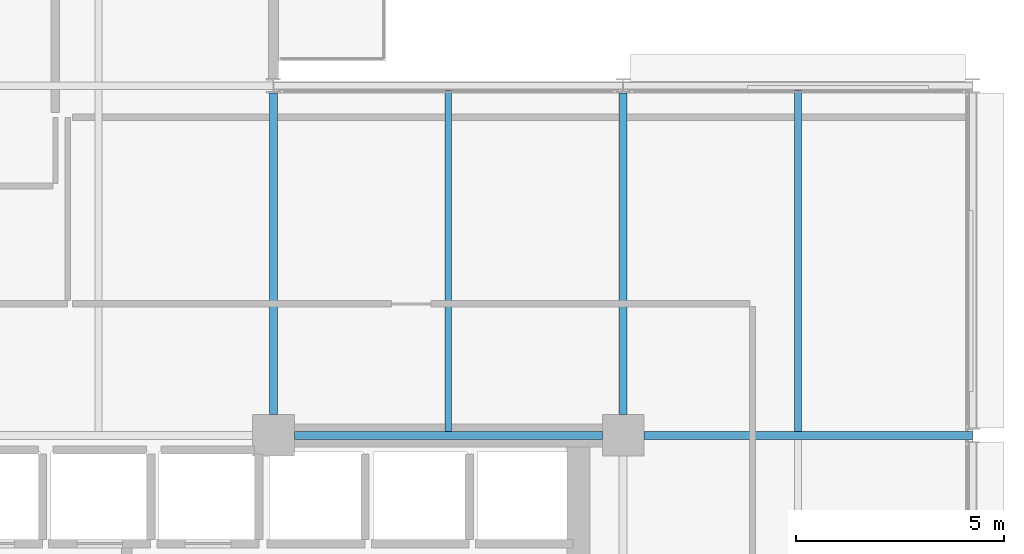
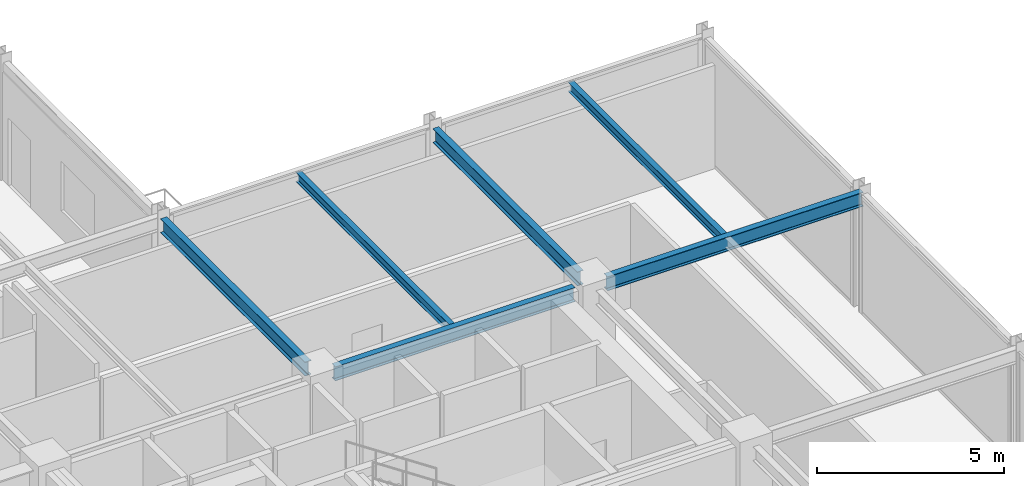
# One storey, part 15 of 30: 6 beams.
"""IFC4 building model written with IfcOpenShell, lengths in metres."""

from ifc_helpers import new_model, si_unit, direction, frame, origin, origin_2d, place, context, subcontext, project, spatial, i_section, extrude, material, material_profile, profile_set, type_object, element, save


model = new_model("IFC4")

# Units and contexts
model_context = context("Model", 3, precision=1e-05, world=origin(), true_north=direction((0.0, 1.0)))
body_context = subcontext(model_context, "Body", "Model", "MODEL_VIEW")
ifc_project = project(units=[si_unit("LENGTHUNIT", "METRE"), si_unit("AREAUNIT", "SQUARE_METRE"), si_unit("VOLUMEUNIT", "CUBIC_METRE"), si_unit("PLANEANGLEUNIT", "RADIAN"), si_unit("MASSUNIT", "GRAM", prefix="KILO")], contexts=[model_context])

# Site, building, storey
site_placement = place(None, origin())
site = spatial("IfcSite", under=ifc_project, at=site_placement, CompositionType="ELEMENT")
building_placement = place(site_placement, origin())
building = spatial("IfcBuilding", under=site, at=building_placement, Name="Nerrivon Quay Data Exchange", CompositionType="ELEMENT")
storey_placement = place(building_placement, frame((0.0, 0.0, 167.300048828125)))
storey = spatial("IfcBuildingStorey", under=building, at=storey_placement, Name="L39", CompositionType="ELEMENT", Elevation=167.300048828125)

# Beams
ifc_material = material(Name="Steel Grade 350", Category="steel")
ifc_material_profile_1 = material_profile(ifc_material, i_section(OverallWidth=0.19091796875, OverallDepth=0.4599609375, WebThickness=0.010009765625, FlangeThickness=0.01611328125, FilletRadius=0.011474609375, at=origin_2d()), Name="460UB82.1")
ifc_profile_set_1 = profile_set([ifc_material_profile_1], Name="Steel Grade 350")
beam_type_1 = type_object("IfcBeamType", Name="BM-G5-460UB82", PredefinedType="BEAM", material=ifc_profile_set_1)
beam_1_placement = place(storey_placement, frame((25.699951171875, 16.800048828125, 3.594970703125), z_axis=(1.0, 0.0, 0.0), x_axis=(0.0, 1.0, 0.0)))
element("IfcBeam", 1, at=beam_1_placement, inside=storey, type_object=beam_type_1, Name="L39 EW Girder Y=16.8 (25.2..33.6)", PredefinedType="BEAM", context=body_context, shape_type="SweptSolid", body=[
    extrude(i_section(OverallWidth=0.19091796875, OverallDepth=0.4599609375, WebThickness=0.010009765625, FlangeThickness=0.01611328125, FilletRadius=0.011474609375, at=origin_2d()), origin(), (0.0, 0.0, 1.0), 7.400146484375),
])
beam_2_placement = place(storey_placement, frame((34.10009765625, 16.800048828125, 3.594970703125), z_axis=(1.0, 0.0, 0.0), x_axis=(0.0, 1.0, 0.0)))
element("IfcBeam", 2, at=beam_2_placement, inside=storey, type_object=beam_type_1, Name="L39 EW Girder Y=16.8 (33.6..42.0)", PredefinedType="BEAM", context=body_context, shape_type="SweptSolid", body=[
    extrude(i_section(OverallWidth=0.19091796875, OverallDepth=0.4599609375, WebThickness=0.010009765625, FlangeThickness=0.01611328125, FilletRadius=0.011474609375, at=origin_2d()), origin(), (0.0, 0.0, 1.0), 7.889892578125),
])
ifc_material_profile_2 = material_profile(ifc_material, i_section(OverallWidth=0.18994140625, OverallDepth=0.4541015625, WebThickness=0.008544921875, FlangeThickness=0.0126953125, FilletRadius=0.011474609375, at=origin_2d()), Name="460UB67.1")
ifc_profile_set_2 = profile_set([ifc_material_profile_2], Name="Steel Grade 350")
beam_type_2 = type_object("IfcBeamType", Name="BM-G6-460UB67", PredefinedType="BEAM", material=ifc_profile_set_2)
for number, where, z_axis, x_axis, name in (
    (3, (25.199951171875, 17.300048828125, 3.597900390625), (0.0, 1.0, 0.0), (-1.0, 0.0, 0.0), "L39 NS Girder X=25.2 (16.8..25.2)"),
    (4, (33.60009765625, 17.300048828125, 3.597900390625), (0.0, 1.0, 0.0), (-1.0, 0.0, 0.0), "L39 NS Girder X=33.6 (16.8..25.2)"),
):
    element("IfcBeam", number, at=place(storey_placement, frame(where, z_axis=z_axis, x_axis=x_axis)), inside=storey, type_object=beam_type_2, Name=name, PredefinedType="BEAM", context=body_context, shape_type="SweptSolid", body=[
        extrude(i_section(OverallWidth=0.18994140625, OverallDepth=0.4541015625, WebThickness=0.008544921875, FlangeThickness=0.0126953125, FilletRadius=0.011474609375, at=origin_2d()), origin(), (0.0, 0.0, 1.0), 7.724853515625),
    ])
ifc_material_profile_3 = material_profile(ifc_material, i_section(OverallWidth=0.166015625, OverallDepth=0.306884765625, WebThickness=0.006591796875, FlangeThickness=0.01171875, FilletRadius=0.011474609375, at=origin_2d()), Name="310UB46.2")
ifc_profile_set_3 = profile_set([ifc_material_profile_3], Name="Steel Grade 350")
beam_type_3 = type_object("IfcBeamType", Name="BM-J5-310UB46", PredefinedType="JOIST", material=ifc_profile_set_3)
for number, where, z_axis, x_axis, name in (
    (5, (29.39990234375, 16.8955078125, 3.67138671875), (0.0, 1.0, 0.0), (-1.0, 0.0, 0.0), "L39 Secondary Joist X=29.4 (16.8..25.2)"),
    (6, (37.800048828125, 16.8955078125, 3.67138671875), (0.0, 1.0, 0.0), (-1.0, 0.0, 0.0), "L39 Secondary Joist X=37.8 (16.8..25.2)"),
):
    element("IfcBeam", number, at=place(storey_placement, frame(where, z_axis=z_axis, x_axis=x_axis)), inside=storey, type_object=beam_type_3, Name=name, PredefinedType="JOIST", context=body_context, shape_type="SweptSolid", body=[
        extrude(i_section(OverallWidth=0.166015625, OverallDepth=0.306884765625, WebThickness=0.006591796875, FlangeThickness=0.01171875, FilletRadius=0.011474609375, at=origin_2d()), origin(), (0.0, 0.0, 1.0), 8.20458984375),
    ])

save(model, "model.ifc")
